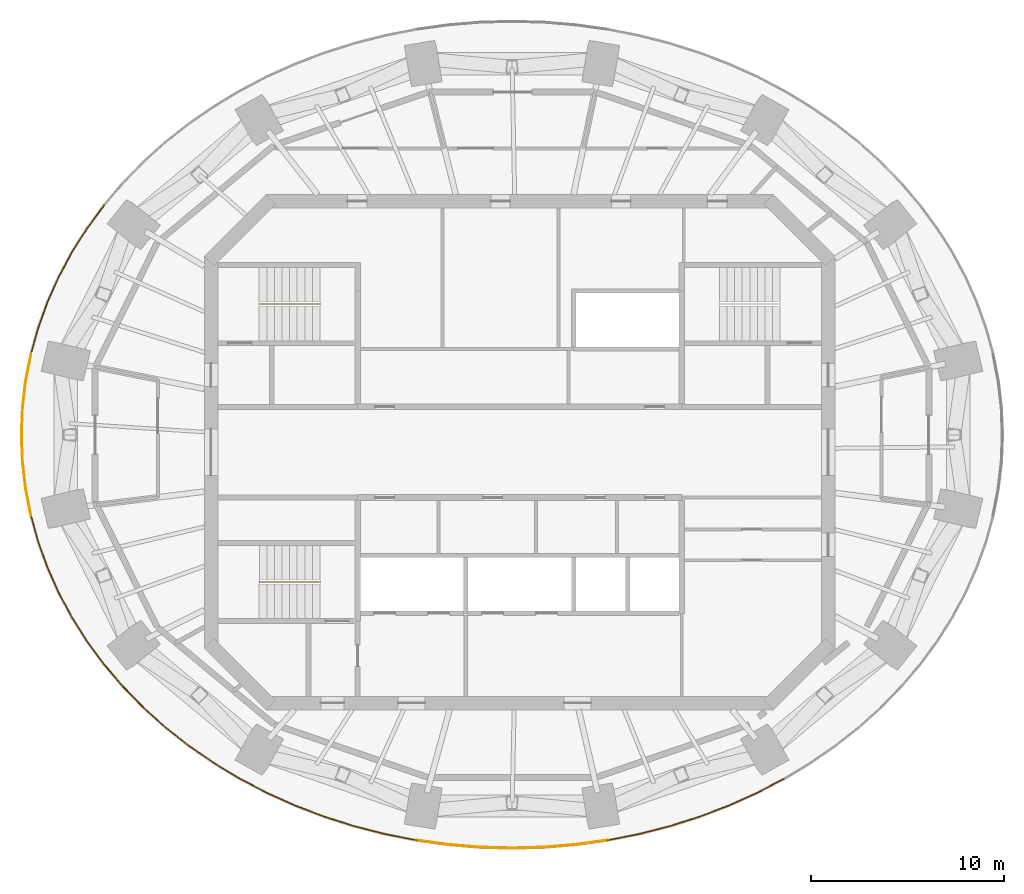
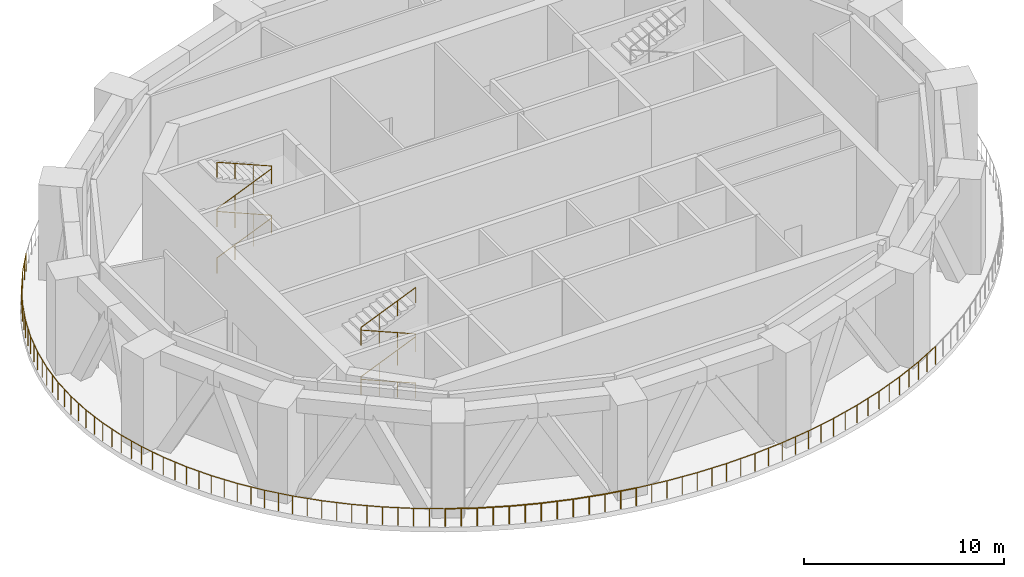
# One storey, part 7 of 9: 9 railings.
"""IFC4 building model written with IfcOpenShell, lengths in metres."""

from ifc_helpers import new_model, si_unit, direction, frame, origin, origin_2d, place, context, subcontext, project, spatial, circle, extrude, material, type_object, element, save


model = new_model("IFC4")

# Units and contexts
model_context = context("Model", 3, precision=1e-05, world=origin(), true_north=direction((0.0, 1.0)))
body_context = subcontext(model_context, "Body", "Model", "MODEL_VIEW")
ifc_project = project(units=[si_unit("LENGTHUNIT", "METRE"), si_unit("AREAUNIT", "SQUARE_METRE"), si_unit("VOLUMEUNIT", "CUBIC_METRE"), si_unit("PLANEANGLEUNIT", "RADIAN"), si_unit("MASSUNIT", "GRAM", prefix="KILO")], contexts=[model_context])

# Site, building, storey
site_placement = place(None, origin())
site = spatial("IfcSite", under=ifc_project, at=site_placement, CompositionType="ELEMENT")
building_placement = place(site_placement, origin())
building = spatial("IfcBuilding", under=site, at=building_placement, Name="Marenthal Gate Tower", CompositionType="ELEMENT")
storey_placement = place(building_placement, frame((0.0, 0.0, 407.550048828125)))
storey = spatial("IfcBuildingStorey", under=building, at=storey_placement, Name="L92", CompositionType="ELEMENT", Elevation=407.550048828125)

# Railings
ifc_material_1 = material(Name="Stainless steel", Category="steel")
railing_type_1 = type_object("IfcRailingType", Name="Balcony guard 1100", PredefinedType="GUARDRAIL", material=ifc_material_1)
railing_1_placement = place(storey_placement, frame((-21.539794921875, 12.795166015625, 0.0)))
element("IfcRailing", 1, at=railing_1_placement, inside=storey, type_object=railing_type_1, Name="Refuge band guard L92 bay 7", PredefinedType="GUARDRAIL", context=body_context, shape_type="SweptSolid", body=[
    extrude(circle(Radius=0.02392578125, at=origin_2d()), frame((0.0, 0.0, 1.076171875), z_axis=(-0.59342987583, -0.804885695284, 0.0), x_axis=(0.804885695284, -0.59342987583, 0.0)), (0.0, 0.0, 1.0), 1.47900390625),
    extrude(circle(Radius=0.02392578125, at=origin_2d()), frame((-0.877685546875, -1.1904296875, 1.076171875), z_axis=(-0.535536221203, -0.844512259106, 0.0), x_axis=(0.844512259106, -0.535536221203, 0.0)), (0.0, 0.0, 1.0), 1.46337890625),
    extrude(circle(Radius=0.02392578125, at=origin_2d()), frame((-1.661376953125, -2.42626953125, 1.076171875), z_axis=(-0.473436577501, -0.880827910028, 0.0), x_axis=(0.880827910028, -0.473436577501, 0.0)), (0.0, 0.0, 1.0), 1.448974609375),
    extrude(circle(Radius=0.02392578125, at=origin_2d()), frame((-2.347412109375, -3.70263671875, 1.076171875), z_axis=(-0.407478713465, -0.913214705353, 0.0), x_axis=(0.913214705353, -0.407478713465, 0.0)), (0.0, 0.0, 1.0), 1.436279296875),
    extrude(circle(Radius=0.02392578125, at=origin_2d()), frame((-2.9326171875, -5.01416015625, 1.076171875), z_axis=(-0.33860417503, -0.940928909457, 0.0), x_axis=(0.940928909457, -0.33860417503, 0.0)), (0.0, 0.0, 1.0), 1.4248046875),
    extrude(circle(Radius=0.02392578125, at=origin_2d()), frame((-3.4150390625, -6.354736328125, 1.076171875), z_axis=(-0.266442895135, -0.963850706091, 0.0), x_axis=(0.963850706091, -0.266442895135, 0.0)), (0.0, 0.0, 1.0), 1.415771484375),
    extrude(circle(Radius=0.02099609375, at=origin_2d()), origin(), (0.0, 0.0, 1.0), 1.052001953125),
    extrude(circle(Radius=0.02099609375, at=origin_2d()), frame((-0.43896484375, -0.59521484375, 0.0)), (0.0, 0.0, 1.0), 1.052001953125),
    extrude(circle(Radius=0.02099609375, at=origin_2d()), frame((-0.877685546875, -1.1904296875, 0.0)), (0.0, 0.0, 1.0), 1.052001953125),
    extrude(circle(Radius=0.02099609375, at=origin_2d()), frame((-1.26953125, -1.808349609375, 0.0)), (0.0, 0.0, 1.0), 1.052001953125),
    extrude(circle(Radius=0.02099609375, at=origin_2d()), frame((-1.661376953125, -2.42626953125, 0.0)), (0.0, 0.0, 1.0), 1.052001953125),
    extrude(circle(Radius=0.02099609375, at=origin_2d()), frame((-2.00439453125, -3.064453125, 0.0)), (0.0, 0.0, 1.0), 1.052001953125),
    extrude(circle(Radius=0.02099609375, at=origin_2d()), frame((-2.347412109375, -3.70263671875, 0.0)), (0.0, 0.0, 1.0), 1.052001953125),
    extrude(circle(Radius=0.02099609375, at=origin_2d()), frame((-2.64013671875, -4.3583984375, 0.0)), (0.0, 0.0, 1.0), 1.052001953125),
    extrude(circle(Radius=0.02099609375, at=origin_2d()), frame((-2.9326171875, -5.01416015625, 0.0)), (0.0, 0.0, 1.0), 1.052001953125),
    extrude(circle(Radius=0.02099609375, at=origin_2d()), frame((-3.173828125, -5.6845703125, 0.0)), (0.0, 0.0, 1.0), 1.052001953125),
    extrude(circle(Radius=0.02099609375, at=origin_2d()), frame((-3.4150390625, -6.354736328125, 0.0)), (0.0, 0.0, 1.0), 1.052001953125),
    extrude(circle(Radius=0.02099609375, at=origin_2d()), frame((-3.603515625, -7.037109375, 0.0)), (0.0, 0.0, 1.0), 1.052001953125),
    extrude(circle(Radius=0.02099609375, at=origin_2d()), frame((-3.792236328125, -7.71923828125, 0.0)), (0.0, 0.0, 1.0), 1.052001953125),
])
railing_2_placement = place(storey_placement, frame((-25.33203125, 5.075927734375, 0.0)))
element("IfcRailing", 2, at=railing_2_placement, inside=storey, type_object=railing_type_1, Name="Refuge band guard L92 bay 8", PredefinedType="GUARDRAIL", context=body_context, shape_type="SweptSolid", body=[
    extrude(circle(Radius=0.02392578125, at=origin_2d()), frame((0.0, 0.0, 1.076171875), z_axis=(-0.192247523869, -0.981346467649, 0.0), x_axis=(0.981346467649, -0.192247523869, 0.0)), (0.0, 0.0, 1.0), 1.408447265625),
    extrude(circle(Radius=0.02392578125, at=origin_2d()), frame((-0.270751953125, -1.382080078125, 1.076171875), z_axis=(-0.116043758283, -0.993244102003, 0.0), x_axis=(0.993244102003, -0.116043758283, 0.0)), (0.0, 0.0, 1.0), 1.4033203125),
    extrude(circle(Radius=0.02392578125, at=origin_2d()), frame((-0.43359375, -2.77587890625, 1.076171875), z_axis=(-0.038854682893, -0.999244871699, 0.0), x_axis=(0.999244871699, -0.038854682893, 0.0)), (0.0, 0.0, 1.0), 1.401123046875),
    extrude(circle(Radius=0.02392578125, at=origin_2d()), frame((-0.488037109375, -4.176025390625, 1.076171875), z_axis=(0.038861448852, -0.999244608588, 0.0), x_axis=(0.999244608588, 0.038861448852, 0.0)), (0.0, 0.0, 1.0), 1.40087890625),
    extrude(circle(Radius=0.02392578125, at=origin_2d()), frame((-0.43359375, -5.575927734375, 1.076171875), z_axis=(0.116023708983, -0.993246444219, 0.0), x_axis=(0.993246444219, 0.116023708983, 0.0)), (0.0, 0.0, 1.0), 1.403564453125),
    extrude(circle(Radius=0.02392578125, at=origin_2d()), frame((-0.270751953125, -6.969970703125, 1.076171875), z_axis=(0.192247523869, -0.981346467649, 0.0), x_axis=(0.981346467649, 0.192247523869, 0.0)), (0.0, 0.0, 1.0), 1.408447265625),
    extrude(circle(Radius=0.02099609375, at=origin_2d()), origin(), (0.0, 0.0, 1.0), 1.052001953125),
    extrude(circle(Radius=0.02099609375, at=origin_2d()), frame((-0.13525390625, -0.69091796875, 0.0)), (0.0, 0.0, 1.0), 1.052001953125),
    extrude(circle(Radius=0.02099609375, at=origin_2d()), frame((-0.270751953125, -1.382080078125, 0.0)), (0.0, 0.0, 1.0), 1.052001953125),
    extrude(circle(Radius=0.02099609375, at=origin_2d()), frame((-0.35205078125, -2.0791015625, 0.0)), (0.0, 0.0, 1.0), 1.052001953125),
    extrude(circle(Radius=0.02099609375, at=origin_2d()), frame((-0.43359375, -2.77587890625, 0.0)), (0.0, 0.0, 1.0), 1.052001953125),
    extrude(circle(Radius=0.02099609375, at=origin_2d()), frame((-0.4609375, -3.47607421875, 0.0)), (0.0, 0.0, 1.0), 1.052001953125),
    extrude(circle(Radius=0.02099609375, at=origin_2d()), frame((-0.488037109375, -4.176025390625, 0.0)), (0.0, 0.0, 1.0), 1.052001953125),
    extrude(circle(Radius=0.02099609375, at=origin_2d()), frame((-0.4609375, -4.8759765625, 0.0)), (0.0, 0.0, 1.0), 1.052001953125),
    extrude(circle(Radius=0.02099609375, at=origin_2d()), frame((-0.43359375, -5.575927734375, 0.0)), (0.0, 0.0, 1.0), 1.052001953125),
    extrude(circle(Radius=0.02099609375, at=origin_2d()), frame((-0.35205078125, -6.27294921875, 0.0)), (0.0, 0.0, 1.0), 1.052001953125),
    extrude(circle(Radius=0.02099609375, at=origin_2d()), frame((-0.270751953125, -6.969970703125, 0.0)), (0.0, 0.0, 1.0), 1.052001953125),
    extrude(circle(Radius=0.02099609375, at=origin_2d()), frame((-0.13525390625, -7.6611328125, 0.0)), (0.0, 0.0, 1.0), 1.052001953125),
    extrude(circle(Radius=0.02099609375, at=origin_2d()), frame((0.0, -8.35205078125, 0.0)), (0.0, 0.0, 1.0), 1.052001953125),
])
railing_3_placement = place(storey_placement, frame((-25.33203125, -3.276123046875, 0.0)))
element("IfcRailing", 3, at=railing_3_placement, inside=storey, type_object=railing_type_1, Name="Refuge band guard L92 bay 9", PredefinedType="GUARDRAIL", context=body_context, shape_type="SweptSolid", body=[
    extrude(circle(Radius=0.02392578125, at=origin_2d()), frame((0.0, 0.0, 1.076171875), z_axis=(0.266487190574, -0.963838460148, 0.0), x_axis=(0.963838460148, 0.266487190574, 0.0)), (0.0, 0.0, 1.0), 1.41552734375),
    extrude(circle(Radius=0.02392578125, at=origin_2d()), frame((0.377197265625, -1.3642578125, 1.076171875), z_axis=(0.33860417503, -0.940928909457, 0.0), x_axis=(0.940928909457, 0.33860417503, 0.0)), (0.0, 0.0, 1.0), 1.4248046875),
    extrude(circle(Radius=0.02392578125, at=origin_2d()), frame((0.859619140625, -2.704833984375, 1.076171875), z_axis=(0.407478713465, -0.913214705353, 0.0), x_axis=(0.913214705353, 0.407478713465, 0.0)), (0.0, 0.0, 1.0), 1.436279296875),
    extrude(circle(Radius=0.02392578125, at=origin_2d()), frame((1.44482421875, -4.016357421875, 1.076171875), z_axis=(0.473436577501, -0.880827910028, 0.0), x_axis=(0.880827910028, 0.473436577501, 0.0)), (0.0, 0.0, 1.0), 1.448974609375),
    extrude(circle(Radius=0.02392578125, at=origin_2d()), frame((2.130859375, -5.292724609375, 1.076171875), z_axis=(0.535536221203, -0.844512259106, 0.0), x_axis=(0.844512259106, 0.535536221203, 0.0)), (0.0, 0.0, 1.0), 1.46337890625),
    extrude(circle(Radius=0.02392578125, at=origin_2d()), frame((2.91455078125, -6.528564453125, 1.076171875), z_axis=(0.59342987583, -0.804885695284, 0.0), x_axis=(0.804885695284, 0.59342987583, 0.0)), (0.0, 0.0, 1.0), 1.47900390625),
    extrude(circle(Radius=0.02099609375, at=origin_2d()), origin(), (0.0, 0.0, 1.0), 1.052001953125),
    extrude(circle(Radius=0.02099609375, at=origin_2d()), frame((0.1884765625, -0.68212890625, 0.0)), (0.0, 0.0, 1.0), 1.052001953125),
    extrude(circle(Radius=0.02099609375, at=origin_2d()), frame((0.377197265625, -1.3642578125, 0.0)), (0.0, 0.0, 1.0), 1.052001953125),
    extrude(circle(Radius=0.02099609375, at=origin_2d()), frame((0.618408203125, -2.03466796875, 0.0)), (0.0, 0.0, 1.0), 1.052001953125),
    extrude(circle(Radius=0.02099609375, at=origin_2d()), frame((0.859619140625, -2.704833984375, 0.0)), (0.0, 0.0, 1.0), 1.052001953125),
    extrude(circle(Radius=0.02099609375, at=origin_2d()), frame((1.15234375, -3.360595703125, 0.0)), (0.0, 0.0, 1.0), 1.052001953125),
    extrude(circle(Radius=0.02099609375, at=origin_2d()), frame((1.44482421875, -4.016357421875, 0.0)), (0.0, 0.0, 1.0), 1.052001953125),
    extrude(circle(Radius=0.02099609375, at=origin_2d()), frame((1.787841796875, -4.654541015625, 0.0)), (0.0, 0.0, 1.0), 1.052001953125),
    extrude(circle(Radius=0.02099609375, at=origin_2d()), frame((2.130859375, -5.292724609375, 0.0)), (0.0, 0.0, 1.0), 1.052001953125),
    extrude(circle(Radius=0.02099609375, at=origin_2d()), frame((2.522705078125, -5.91064453125, 0.0)), (0.0, 0.0, 1.0), 1.052001953125),
    extrude(circle(Radius=0.02099609375, at=origin_2d()), frame((2.91455078125, -6.528564453125, 0.0)), (0.0, 0.0, 1.0), 1.052001953125),
    extrude(circle(Radius=0.02099609375, at=origin_2d()), frame((3.353515625, -7.123779296875, 0.0)), (0.0, 0.0, 1.0), 1.052001953125),
    extrude(circle(Radius=0.02099609375, at=origin_2d()), frame((3.792236328125, -7.718994140625, 0.0)), (0.0, 0.0, 1.0), 1.052001953125),
])
railing_4_placement = place(storey_placement, frame((-21.539794921875, -10.9951171875, 0.0)))
element("IfcRailing", 4, at=railing_4_placement, inside=storey, type_object=railing_type_1, Name="Refuge band guard L92 bay 10", PredefinedType="GUARDRAIL", context=body_context, shape_type="SweptSolid", body=[
    extrude(circle(Radius=0.02392578125, at=origin_2d()), frame((0.0, 0.0, 1.076171875), z_axis=(0.647653159131, -0.761935289554, 0.0), x_axis=(0.761935289554, 0.647653159131, 0.0)), (0.0, 0.0, 1.0), 1.495361328125),
    extrude(circle(Radius=0.02392578125, at=origin_2d()), frame((0.968505859375, -1.139404296875, 1.076171875), z_axis=(0.697518547499, -0.716566728153, 0.0), x_axis=(0.716566728153, 0.697518547499, 0.0)), (0.0, 0.0, 1.0), 1.512451171875),
    extrude(circle(Radius=0.02392578125, at=origin_2d()), frame((2.0234375, -2.22314453125, 1.076171875), z_axis=(0.743167146386, -0.669105815647, 0.0), x_axis=(0.669105815647, 0.743167146386, 0.0)), (0.0, 0.0, 1.0), 1.529541015625),
    extrude(circle(Radius=0.02392578125, at=origin_2d()), frame((3.16015625, -3.24658203125, 1.076171875), z_axis=(0.784826195145, -0.619715937679, 0.0), x_axis=(0.619715937679, 0.784826195145, 0.0)), (0.0, 0.0, 1.0), 1.546630859375),
    extrude(circle(Radius=0.02392578125, at=origin_2d()), frame((4.3740234375, -4.205078125, 1.076171875), z_axis=(0.822366400491, -0.568958261513, 0.0), x_axis=(0.568958261513, 0.822366400491, 0.0)), (0.0, 0.0, 1.0), 1.563720703125),
    extrude(circle(Radius=0.02392578125, at=origin_2d()), frame((5.659912109375, -5.0947265625, 1.076171875), z_axis=(0.855838582222, -0.517243000126, 0.0), x_axis=(0.517243000126, 0.855838582222, 0.0)), (0.0, 0.0, 1.0), 1.579833984375),
    extrude(circle(Radius=0.02099609375, at=origin_2d()), origin(), (0.0, 0.0, 1.0), 1.052001953125),
    extrude(circle(Radius=0.02099609375, at=origin_2d()), frame((0.484375, -0.56982421875, 0.0)), (0.0, 0.0, 1.0), 1.052001953125),
    extrude(circle(Radius=0.02099609375, at=origin_2d()), frame((0.968505859375, -1.139404296875, 0.0)), (0.0, 0.0, 1.0), 1.052001953125),
    extrude(circle(Radius=0.02099609375, at=origin_2d()), frame((1.49609375, -1.68115234375, 0.0)), (0.0, 0.0, 1.0), 1.052001953125),
    extrude(circle(Radius=0.02099609375, at=origin_2d()), frame((2.0234375, -2.22314453125, 0.0)), (0.0, 0.0, 1.0), 1.052001953125),
    extrude(circle(Radius=0.02099609375, at=origin_2d()), frame((2.591796875, -2.73486328125, 0.0)), (0.0, 0.0, 1.0), 1.052001953125),
    extrude(circle(Radius=0.02099609375, at=origin_2d()), frame((3.16015625, -3.24658203125, 0.0)), (0.0, 0.0, 1.0), 1.052001953125),
    extrude(circle(Radius=0.02099609375, at=origin_2d()), frame((3.76708984375, -3.725830078125, 0.0)), (0.0, 0.0, 1.0), 1.052001953125),
    extrude(circle(Radius=0.02099609375, at=origin_2d()), frame((4.3740234375, -4.205078125, 0.0)), (0.0, 0.0, 1.0), 1.052001953125),
    extrude(circle(Radius=0.02099609375, at=origin_2d()), frame((5.01708984375, -4.64990234375, 0.0)), (0.0, 0.0, 1.0), 1.052001953125),
    extrude(circle(Radius=0.02099609375, at=origin_2d()), frame((5.659912109375, -5.0947265625, 0.0)), (0.0, 0.0, 1.0), 1.052001953125),
    extrude(circle(Radius=0.02099609375, at=origin_2d()), frame((6.3359375, -5.50341796875, 0.0)), (0.0, 0.0, 1.0), 1.052001953125),
    extrude(circle(Radius=0.02099609375, at=origin_2d()), frame((7.011962890625, -5.911865234375, 0.0)), (0.0, 0.0, 1.0), 1.052001953125),
])
railing_5_placement = place(storey_placement, frame((-14.52783203125, -16.906982421875, 0.0)))
element("IfcRailing", 5, at=railing_5_placement, inside=storey, type_object=railing_type_1, Name="Refuge band guard L92 bay 11", PredefinedType="GUARDRAIL", context=body_context, shape_type="SweptSolid", body=[
    extrude(circle(Radius=0.02392578125, at=origin_2d()), frame((0.0, 0.0, 1.076171875), z_axis=(0.885723665454, -0.464212869764, 0.0), x_axis=(0.464212869764, 0.885723665454, 0.0)), (0.0, 0.0, 1.0), 1.59521484375),
    extrude(circle(Radius=0.02392578125, at=origin_2d()), frame((1.412841796875, -0.740478515625, 1.076171875), z_axis=(0.911665881279, -0.4109322583, 0.0), x_axis=(0.4109322583, 0.911665881279, 0.0)), (0.0, 0.0, 1.0), 1.609375),
    extrude(circle(Radius=0.02392578125, at=origin_2d()), frame((2.880126953125, -1.40185546875, 1.076171875), z_axis=(0.934134484632, -0.356921230275, 0.0), x_axis=(0.356921230275, 0.934134484632, 0.0)), (0.0, 0.0, 1.0), 1.62255859375),
    extrude(circle(Radius=0.02392578125, at=origin_2d()), frame((4.395751953125, -1.98095703125, 1.076171875), z_axis=(0.95317076895, -0.302432612691, 0.0), x_axis=(0.302432612691, 0.95317076895, 0.0)), (0.0, 0.0, 1.0), 1.6337890625),
    extrude(circle(Radius=0.02392578125, at=origin_2d()), frame((5.953125, -2.47509765625, 1.076171875), z_axis=(0.968826750365, -0.247739233422, 0.0), x_axis=(0.247739233422, 0.968826750365, 0.0)), (0.0, 0.0, 1.0), 1.643798828125),
    extrude(circle(Radius=0.02392578125, at=origin_2d()), frame((7.545654296875, -2.88232421875, 1.076171875), z_axis=(0.981217855434, -0.192902877575, 0.0), x_axis=(0.192902877575, 0.981217855434, 0.0)), (0.0, 0.0, 1.0), 1.651611328125),
    extrude(circle(Radius=0.02099609375, at=origin_2d()), origin(), (0.0, 0.0, 1.0), 1.052001953125),
    extrude(circle(Radius=0.02099609375, at=origin_2d()), frame((0.70654296875, -0.3701171875, 0.0)), (0.0, 0.0, 1.0), 1.052001953125),
    extrude(circle(Radius=0.02099609375, at=origin_2d()), frame((1.412841796875, -0.740478515625, 0.0)), (0.0, 0.0, 1.0), 1.052001953125),
    extrude(circle(Radius=0.02099609375, at=origin_2d()), frame((2.146484375, -1.0712890625, 0.0)), (0.0, 0.0, 1.0), 1.052001953125),
    extrude(circle(Radius=0.02099609375, at=origin_2d()), frame((2.880126953125, -1.40185546875, 0.0)), (0.0, 0.0, 1.0), 1.052001953125),
    extrude(circle(Radius=0.02099609375, at=origin_2d()), frame((3.637939453125, -1.69140625, 0.0)), (0.0, 0.0, 1.0), 1.052001953125),
    extrude(circle(Radius=0.02099609375, at=origin_2d()), frame((4.395751953125, -1.98095703125, 0.0)), (0.0, 0.0, 1.0), 1.052001953125),
    extrude(circle(Radius=0.02099609375, at=origin_2d()), frame((5.17431640625, -2.22802734375, 0.0)), (0.0, 0.0, 1.0), 1.052001953125),
    extrude(circle(Radius=0.02099609375, at=origin_2d()), frame((5.953125, -2.47509765625, 0.0)), (0.0, 0.0, 1.0), 1.052001953125),
    extrude(circle(Radius=0.02099609375, at=origin_2d()), frame((6.74951171875, -2.6787109375, 0.0)), (0.0, 0.0, 1.0), 1.052001953125),
    extrude(circle(Radius=0.02099609375, at=origin_2d()), frame((7.545654296875, -2.88232421875, 0.0)), (0.0, 0.0, 1.0), 1.052001953125),
    extrude(circle(Radius=0.02099609375, at=origin_2d()), frame((8.35595703125, -3.04150390625, 0.0)), (0.0, 0.0, 1.0), 1.052001953125),
    extrude(circle(Radius=0.02099609375, at=origin_2d()), frame((9.166259765625, -3.200927734375, 0.0)), (0.0, 0.0, 1.0), 1.052001953125),
])
railing_6_placement = place(storey_placement, frame((-5.361572265625, -20.10791015625, 0.0)))
element("IfcRailing", 6, at=railing_6_placement, inside=storey, type_object=railing_type_1, Name="Refuge band guard L92 bay 12", PredefinedType="GUARDRAIL", context=body_context, shape_type="SweptSolid", body=[
    extrude(circle(Radius=0.02392578125, at=origin_2d()), frame((0.0, 0.0, 1.076171875), z_axis=(0.990435337794, -0.137977685328, 0.0), x_axis=(0.137977685328, 0.990435337794, 0.0)), (0.0, 0.0, 1.0), 1.657958984375),
    extrude(circle(Radius=0.02392578125, at=origin_2d()), frame((1.64208984375, -0.228759765625, 1.076171875), z_axis=(0.99657306209, -0.082717180297, 0.0), x_axis=(0.082717180297, 0.99657306209, 0.0)), (0.0, 0.0, 1.0), 1.66162109375),
    extrude(circle(Radius=0.02392578125, at=origin_2d()), frame((3.298095703125, -0.3662109375, 1.076171875), z_axis=(0.999619606064, -0.027579760191, 0.0), x_axis=(0.027579760191, 0.999619606064, 0.0)), (0.0, 0.0, 1.0), 1.664306640625),
    extrude(circle(Radius=0.02392578125, at=origin_2d()), frame((4.961669921875, -0.412109375, 1.076171875), z_axis=(0.999619494453, 0.027583805219, 0.0), x_axis=(-0.027583805219, 0.999619494453, 0.0)), (0.0, 0.0, 1.0), 1.6640625),
    extrude(circle(Radius=0.02392578125, at=origin_2d()), frame((6.625, -0.3662109375, 1.076171875), z_axis=(0.99657406713, 0.082705070724, 0.0), x_axis=(-0.082705070724, 0.99657406713, 0.0)), (0.0, 0.0, 1.0), 1.661865234375),
    extrude(circle(Radius=0.02392578125, at=origin_2d()), frame((8.28125, -0.228759765625, 1.076171875), z_axis=(0.990432533769, 0.137997811768, 0.0), x_axis=(-0.137997811768, 0.990432533769, 0.0)), (0.0, 0.0, 1.0), 1.65771484375),
    extrude(circle(Radius=0.02099609375, at=origin_2d()), origin(), (0.0, 0.0, 1.0), 1.052001953125),
    extrude(circle(Radius=0.02099609375, at=origin_2d()), frame((0.821044921875, -0.1142578125, 0.0)), (0.0, 0.0, 1.0), 1.052001953125),
    extrude(circle(Radius=0.02099609375, at=origin_2d()), frame((1.64208984375, -0.228759765625, 0.0)), (0.0, 0.0, 1.0), 1.052001953125),
    extrude(circle(Radius=0.02099609375, at=origin_2d()), frame((2.47021484375, -0.29736328125, 0.0)), (0.0, 0.0, 1.0), 1.052001953125),
    extrude(circle(Radius=0.02099609375, at=origin_2d()), frame((3.298095703125, -0.3662109375, 0.0)), (0.0, 0.0, 1.0), 1.052001953125),
    extrude(circle(Radius=0.02099609375, at=origin_2d()), frame((4.1298828125, -0.38916015625, 0.0)), (0.0, 0.0, 1.0), 1.052001953125),
    extrude(circle(Radius=0.02099609375, at=origin_2d()), frame((4.961669921875, -0.412109375, 0.0)), (0.0, 0.0, 1.0), 1.052001953125),
    extrude(circle(Radius=0.02099609375, at=origin_2d()), frame((5.79345703125, -0.38916015625, 0.0)), (0.0, 0.0, 1.0), 1.052001953125),
    extrude(circle(Radius=0.02099609375, at=origin_2d()), frame((6.625, -0.3662109375, 0.0)), (0.0, 0.0, 1.0), 1.052001953125),
    extrude(circle(Radius=0.02099609375, at=origin_2d()), frame((7.453125, -0.29736328125, 0.0)), (0.0, 0.0, 1.0), 1.052001953125),
    extrude(circle(Radius=0.02099609375, at=origin_2d()), frame((8.28125, -0.228759765625, 0.0)), (0.0, 0.0, 1.0), 1.052001953125),
    extrude(circle(Radius=0.02099609375, at=origin_2d()), frame((9.10205078125, -0.1142578125, 0.0)), (0.0, 0.0, 1.0), 1.052001953125),
    extrude(circle(Radius=0.02099609375, at=origin_2d()), frame((9.923095703125, 0.0, 0.0)), (0.0, 0.0, 1.0), 1.052001953125),
])
railing_7_placement = place(storey_placement, frame((4.5615234375, -20.10791015625, 0.0)))
element("IfcRailing", 7, at=railing_7_placement, inside=storey, type_object=railing_type_1, Name="Refuge band guard L92 bay 13", PredefinedType="GUARDRAIL", context=body_context, shape_type="SweptSolid", body=[
    extrude(circle(Radius=0.02392578125, at=origin_2d()), frame((0.0, 0.0, 1.076171875), z_axis=(0.981223354781, 0.192874902544, 0.0), x_axis=(-0.192874902544, 0.981223354781, 0.0)), (0.0, 0.0, 1.0), 1.65185546875),
    extrude(circle(Radius=0.02392578125, at=origin_2d()), frame((1.620849609375, 0.318603515625, 1.076171875), z_axis=(0.968817632733, 0.247774886752, 0.0), x_axis=(-0.247774886752, 0.968817632733, 0.0)), (0.0, 0.0, 1.0), 1.6435546875),
    extrude(circle(Radius=0.02392578125, at=origin_2d()), frame((3.213134765625, 0.725830078125, 1.076171875), z_axis=(0.95317076895, 0.302432612691, 0.0), x_axis=(-0.302432612691, 0.95317076895, 0.0)), (0.0, 0.0, 1.0), 1.6337890625),
    extrude(circle(Radius=0.02392578125, at=origin_2d()), frame((4.7705078125, 1.219970703125, 1.076171875), z_axis=(0.934134484632, 0.356921230275, 0.0), x_axis=(-0.356921230275, 0.934134484632, 0.0)), (0.0, 0.0, 1.0), 1.62255859375),
    extrude(circle(Radius=0.02392578125, at=origin_2d()), frame((6.2861328125, 1.799072265625, 1.076171875), z_axis=(0.911665881279, 0.4109322583, 0.0), x_axis=(-0.4109322583, 0.911665881279, 0.0)), (0.0, 0.0, 1.0), 1.609375),
    extrude(circle(Radius=0.02392578125, at=origin_2d()), frame((7.75341796875, 2.46044921875, 1.076171875), z_axis=(0.885723665454, 0.464212869764, 0.0), x_axis=(-0.464212869764, 0.885723665454, 0.0)), (0.0, 0.0, 1.0), 1.59521484375),
    extrude(circle(Radius=0.02099609375, at=origin_2d()), origin(), (0.0, 0.0, 1.0), 1.052001953125),
    extrude(circle(Radius=0.02099609375, at=origin_2d()), frame((0.810546875, 0.1591796875, 0.0)), (0.0, 0.0, 1.0), 1.052001953125),
    extrude(circle(Radius=0.02099609375, at=origin_2d()), frame((1.620849609375, 0.318603515625, 0.0)), (0.0, 0.0, 1.0), 1.052001953125),
    extrude(circle(Radius=0.02099609375, at=origin_2d()), frame((2.4169921875, 0.522216796875, 0.0)), (0.0, 0.0, 1.0), 1.052001953125),
    extrude(circle(Radius=0.02099609375, at=origin_2d()), frame((3.213134765625, 0.725830078125, 0.0)), (0.0, 0.0, 1.0), 1.052001953125),
    extrude(circle(Radius=0.02099609375, at=origin_2d()), frame((3.99169921875, 0.972900390625, 0.0)), (0.0, 0.0, 1.0), 1.052001953125),
    extrude(circle(Radius=0.02099609375, at=origin_2d()), frame((4.7705078125, 1.219970703125, 0.0)), (0.0, 0.0, 1.0), 1.052001953125),
    extrude(circle(Radius=0.02099609375, at=origin_2d()), frame((5.5283203125, 1.509521484375, 0.0)), (0.0, 0.0, 1.0), 1.052001953125),
    extrude(circle(Radius=0.02099609375, at=origin_2d()), frame((6.2861328125, 1.799072265625, 0.0)), (0.0, 0.0, 1.0), 1.052001953125),
    extrude(circle(Radius=0.02099609375, at=origin_2d()), frame((7.019775390625, 2.1298828125, 0.0)), (0.0, 0.0, 1.0), 1.052001953125),
    extrude(circle(Radius=0.02099609375, at=origin_2d()), frame((7.75341796875, 2.46044921875, 0.0)), (0.0, 0.0, 1.0), 1.052001953125),
    extrude(circle(Radius=0.02099609375, at=origin_2d()), frame((8.4599609375, 2.83056640625, 0.0)), (0.0, 0.0, 1.0), 1.052001953125),
    extrude(circle(Radius=0.02099609375, at=origin_2d()), frame((9.166259765625, 3.200927734375, 0.0)), (0.0, 0.0, 1.0), 1.052001953125),
])
ifc_material_2 = material(Name="Stainless steel", Category="steel")
railing_type_2 = type_object("IfcRailingType", Name="Stair handrail", PredefinedType="HANDRAIL", material=ifc_material_2)
railing_8_placement = place(storey_placement, frame((-13.5, 7.675048828125, 0.166748046875)))
element("IfcRailing", 8, at=railing_8_placement, inside=storey, type_object=railing_type_2, Name="Handrail ST1", PredefinedType="HANDRAIL", context=body_context, shape_type="SweptSolid", body=[
    extrude(circle(Radius=0.0224609375, at=origin_2d()), frame((0.0, 0.0, 0.927490234375), z_axis=(0.920893345203, 0.0, 0.389814631281), x_axis=(0.0, 1.0, 0.0)), (0.0, 0.0, 1.0), 3.420166015625),
    extrude(circle(Radius=0.0224609375, at=origin_2d()), frame((3.149658203125, 0.0, 2.2607421875), z_axis=(0.0, 0.0, 1.0), x_axis=(1.0, 0.0, 0.0)), (0.0, 0.0, 1.0), 0.166748046875),
    extrude(circle(Radius=0.0224609375, at=origin_2d()), frame((3.149658203125, 0.0, 2.427490234375), z_axis=(-0.920893345203, 0.0, 0.389814631281), x_axis=(0.0, -1.0, 0.0)), (0.0, 0.0, 1.0), 3.420166015625),
    extrude(circle(Radius=0.0224609375, at=origin_2d()), frame((0.0, 0.0, 3.7607421875), z_axis=(0.0, 0.0, 1.0), x_axis=(1.0, 0.0, 0.0)), (0.0, 0.0, 1.0), 0.166748046875),
    extrude(circle(Radius=0.0224609375, at=origin_2d()), frame((0.0, 0.0, 3.927490234375), z_axis=(0.920893345203, 0.0, 0.389814631281), x_axis=(0.0, 1.0, 0.0)), (0.0, 0.0, 1.0), 3.420166015625),
    extrude(circle(Radius=0.0224609375, at=origin_2d()), frame((3.149658203125, 0.0, 5.2607421875), z_axis=(0.0, 0.0, 1.0), x_axis=(1.0, 0.0, 0.0)), (0.0, 0.0, 1.0), 0.166748046875),
    extrude(circle(Radius=0.0224609375, at=origin_2d()), frame((3.149658203125, 0.0, 5.427490234375), z_axis=(-0.920893345203, 0.0, 0.389814631281), x_axis=(0.0, -1.0, 0.0)), (0.0, 0.0, 1.0), 3.420166015625),
    extrude(circle(Radius=0.02001953125, at=origin_2d()), origin(), (0.0, 0.0, 1.0), 0.905029296875),
    extrude(circle(Radius=0.02001953125, at=origin_2d()), frame((1.0498046875, 0.0, 0.4443359375)), (0.0, 0.0, 1.0), 0.905029296875),
    extrude(circle(Radius=0.02001953125, at=origin_2d()), frame((2.099853515625, 0.0, 0.888916015625)), (0.0, 0.0, 1.0), 0.905029296875),
    extrude(circle(Radius=0.02001953125, at=origin_2d()), frame((3.149658203125, 0.0, 1.333251953125)), (0.0, 0.0, 1.0), 0.905029296875),
    extrude(circle(Radius=0.02001953125, at=origin_2d()), frame((3.149658203125, 0.0, 1.5)), (0.0, 0.0, 1.0), 0.905029296875),
    extrude(circle(Radius=0.02001953125, at=origin_2d()), frame((2.099853515625, 0.0, 1.9443359375)), (0.0, 0.0, 1.0), 0.905029296875),
    extrude(circle(Radius=0.02001953125, at=origin_2d()), frame((1.0498046875, 0.0, 2.388916015625)), (0.0, 0.0, 1.0), 0.905029296875),
    extrude(circle(Radius=0.02001953125, at=origin_2d()), frame((0.0, 0.0, 2.833251953125)), (0.0, 0.0, 1.0), 0.905029296875),
    extrude(circle(Radius=0.02001953125, at=origin_2d()), frame((0.0, 0.0, 3.0)), (0.0, 0.0, 1.0), 0.905029296875),
    extrude(circle(Radius=0.02001953125, at=origin_2d()), frame((1.0498046875, 0.0, 3.4443359375)), (0.0, 0.0, 1.0), 0.905029296875),
    extrude(circle(Radius=0.02001953125, at=origin_2d()), frame((2.099853515625, 0.0, 3.888916015625)), (0.0, 0.0, 1.0), 0.905029296875),
    extrude(circle(Radius=0.02001953125, at=origin_2d()), frame((3.149658203125, 0.0, 4.333251953125)), (0.0, 0.0, 1.0), 0.905029296875),
    extrude(circle(Radius=0.02001953125, at=origin_2d()), frame((3.149658203125, 0.0, 4.5)), (0.0, 0.0, 1.0), 0.905029296875),
    extrude(circle(Radius=0.02001953125, at=origin_2d()), frame((2.099853515625, 0.0, 4.9443359375)), (0.0, 0.0, 1.0), 0.905029296875),
    extrude(circle(Radius=0.02001953125, at=origin_2d()), frame((1.0498046875, 0.0, 5.388916015625)), (0.0, 0.0, 1.0), 0.905029296875),
    extrude(circle(Radius=0.02001953125, at=origin_2d()), frame((0.0, 0.0, 5.833251953125)), (0.0, 0.0, 1.0), 0.905029296875),
])
railing_9_placement = place(storey_placement, frame((-10.35009765625, -6.72509765625, 0.166748046875)))
element("IfcRailing", 9, at=railing_9_placement, inside=storey, type_object=railing_type_2, Name="Handrail ST2", PredefinedType="HANDRAIL", context=body_context, shape_type="SweptSolid", body=[
    extrude(circle(Radius=0.0224609375, at=origin_2d()), frame((0.0, 0.0, 0.927490234375), z_axis=(-0.920882497319, 0.0, 0.389840257198), x_axis=(0.0, -1.0, 0.0)), (0.0, 0.0, 1.0), 3.419921875),
    extrude(circle(Radius=0.0224609375, at=origin_2d()), frame((-3.1494140625, 0.0, 2.2607421875), z_axis=(0.0, 0.0, 1.0), x_axis=(1.0, 0.0, 0.0)), (0.0, 0.0, 1.0), 0.166748046875),
    extrude(circle(Radius=0.0224609375, at=origin_2d()), frame((-3.1494140625, 0.0, 2.427490234375), z_axis=(0.920882497319, 0.0, 0.389840257198), x_axis=(0.0, 1.0, 0.0)), (0.0, 0.0, 1.0), 3.419921875),
    extrude(circle(Radius=0.0224609375, at=origin_2d()), frame((0.0, 0.0, 3.7607421875), z_axis=(0.0, 0.0, 1.0), x_axis=(1.0, 0.0, 0.0)), (0.0, 0.0, 1.0), 0.166748046875),
    extrude(circle(Radius=0.0224609375, at=origin_2d()), frame((0.0, 0.0, 3.927490234375), z_axis=(-0.920882497319, 0.0, 0.389840257198), x_axis=(0.0, -1.0, 0.0)), (0.0, 0.0, 1.0), 3.419921875),
    extrude(circle(Radius=0.0224609375, at=origin_2d()), frame((-3.1494140625, 0.0, 5.2607421875), z_axis=(0.0, 0.0, 1.0), x_axis=(1.0, 0.0, 0.0)), (0.0, 0.0, 1.0), 0.166748046875),
    extrude(circle(Radius=0.0224609375, at=origin_2d()), frame((-3.1494140625, 0.0, 5.427490234375), z_axis=(0.920882497319, 0.0, 0.389840257198), x_axis=(0.0, 1.0, 0.0)), (0.0, 0.0, 1.0), 3.419921875),
    extrude(circle(Radius=0.02001953125, at=origin_2d()), origin(), (0.0, 0.0, 1.0), 0.905029296875),
    extrude(circle(Radius=0.02001953125, at=origin_2d()), frame((-1.0498046875, 0.0, 0.4443359375)), (0.0, 0.0, 1.0), 0.905029296875),
    extrude(circle(Radius=0.02001953125, at=origin_2d()), frame((-2.099609375, 0.0, 0.888916015625)), (0.0, 0.0, 1.0), 0.905029296875),
    extrude(circle(Radius=0.02001953125, at=origin_2d()), frame((-3.1494140625, 0.0, 1.333251953125)), (0.0, 0.0, 1.0), 0.905029296875),
    extrude(circle(Radius=0.02001953125, at=origin_2d()), frame((-3.1494140625, 0.0, 1.5)), (0.0, 0.0, 1.0), 0.905029296875),
    extrude(circle(Radius=0.02001953125, at=origin_2d()), frame((-2.099609375, 0.0, 1.9443359375)), (0.0, 0.0, 1.0), 0.905029296875),
    extrude(circle(Radius=0.02001953125, at=origin_2d()), frame((-1.0498046875, 0.0, 2.388916015625)), (0.0, 0.0, 1.0), 0.905029296875),
    extrude(circle(Radius=0.02001953125, at=origin_2d()), frame((0.0, 0.0, 2.833251953125)), (0.0, 0.0, 1.0), 0.905029296875),
    extrude(circle(Radius=0.02001953125, at=origin_2d()), frame((0.0, 0.0, 3.0)), (0.0, 0.0, 1.0), 0.905029296875),
    extrude(circle(Radius=0.02001953125, at=origin_2d()), frame((-1.0498046875, 0.0, 3.4443359375)), (0.0, 0.0, 1.0), 0.905029296875),
    extrude(circle(Radius=0.02001953125, at=origin_2d()), frame((-2.099609375, 0.0, 3.888916015625)), (0.0, 0.0, 1.0), 0.905029296875),
    extrude(circle(Radius=0.02001953125, at=origin_2d()), frame((-3.1494140625, 0.0, 4.333251953125)), (0.0, 0.0, 1.0), 0.905029296875),
    extrude(circle(Radius=0.02001953125, at=origin_2d()), frame((-3.1494140625, 0.0, 4.5)), (0.0, 0.0, 1.0), 0.905029296875),
    extrude(circle(Radius=0.02001953125, at=origin_2d()), frame((-2.099609375, 0.0, 4.9443359375)), (0.0, 0.0, 1.0), 0.905029296875),
    extrude(circle(Radius=0.02001953125, at=origin_2d()), frame((-1.0498046875, 0.0, 5.388916015625)), (0.0, 0.0, 1.0), 0.905029296875),
    extrude(circle(Radius=0.02001953125, at=origin_2d()), frame((0.0, 0.0, 5.833251953125)), (0.0, 0.0, 1.0), 0.905029296875),
])

save(model, "model.ifc")
